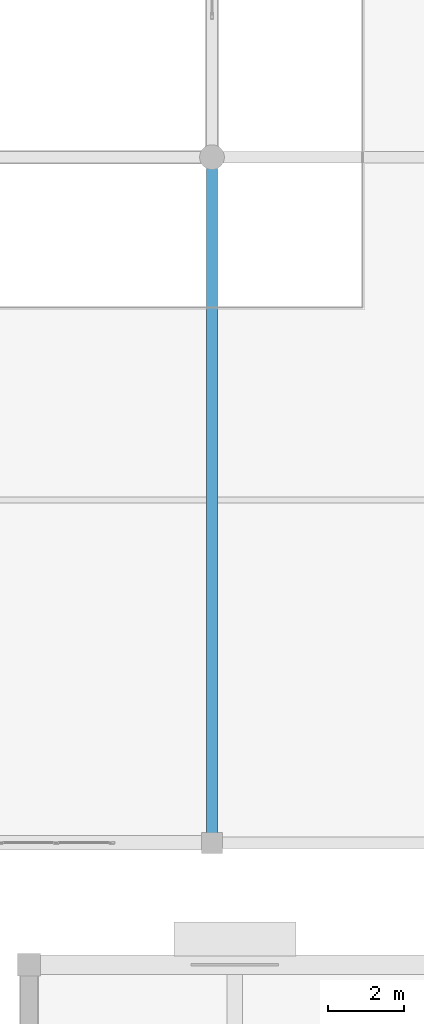
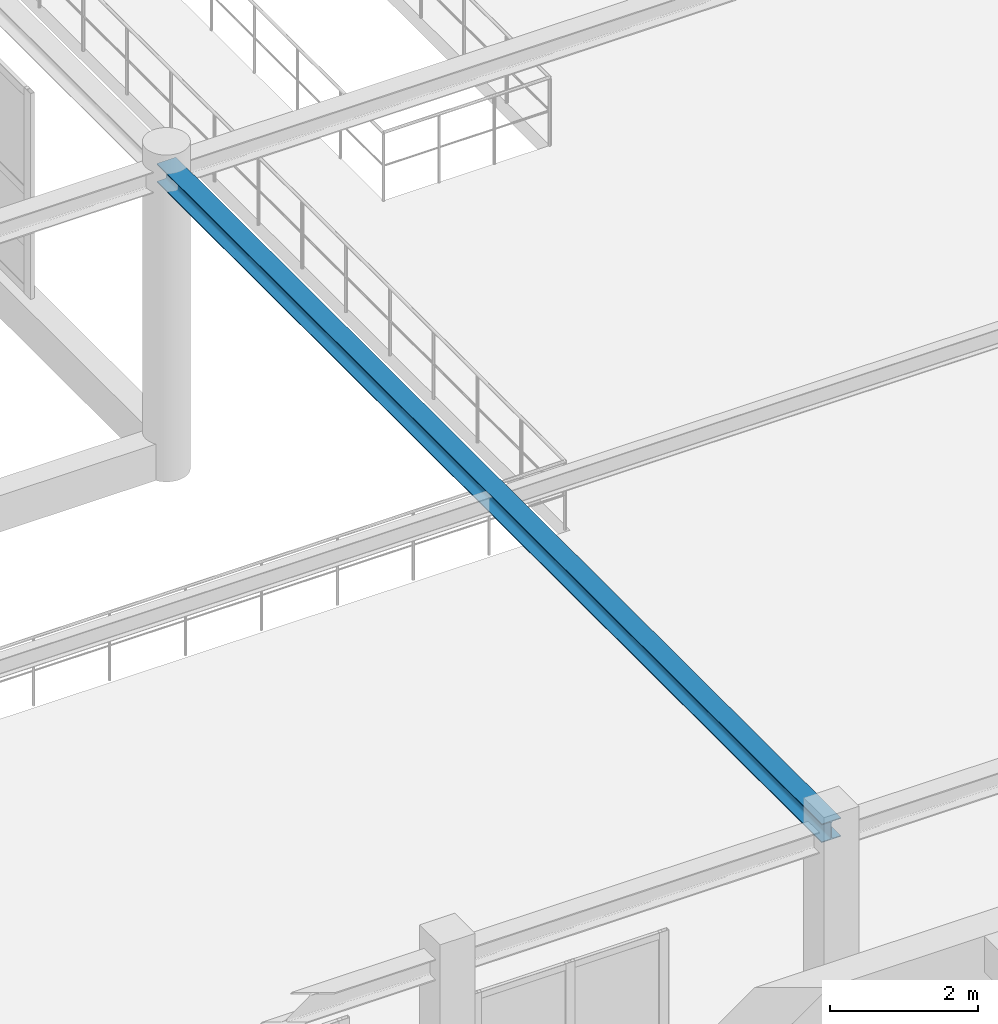
# One storey, part 62 of 197: 1 beam.
"""IFC4 building model written with IfcOpenShell, lengths in metres."""

import ifcopenshell
import ifcopenshell.guid

model = None  # the IFC model being written
_history = None  # IfcOwnerHistory: only IFC2X3 demands one
_inside = {}  # id of a spatial element -> (the spatial element, [elements in it])
_under = {}  # id of a project, library or spatial element -> (it, [spatial elements below it])
_declared = {}  # id of a project -> (the project, [libraries it declares])
_typed = {}  # id of a type object -> (the type object, [elements of that type])
_made_of = {}  # id of a material, layer set ... -> (it, [elements and type objects made of it])


def new_model(schema):
    """Start an empty IFC model of exactly this schema.

    Asked for "IFC4X3", IfcOpenShell would pick the latest addendum, in which some entities
    have other attributes; the version numbers below select the first issue.
    IFC2X3 requires an IfcOwnerHistory on every rooted entity: one is made here for all.
    """
    global model, _history
    if schema == "IFC4X3":
        model = ifcopenshell.file(schema_version=(4, 3, 0, 0))
    else:
        model = ifcopenshell.file(schema=schema)
    _inside.clear()
    _under.clear()
    _declared.clear()
    _typed.clear()
    _made_of.clear()
    _history = None
    if model.schema == "IFC2X3":
        org = make("IfcOrganization", Name="unknown")
        user = make(
            "IfcPersonAndOrganization",
            ThePerson=make("IfcPerson", FamilyName="unknown"),
            TheOrganization=org,
        )
        app = make(
            "IfcApplication",
            ApplicationDeveloper=org,
            Version="unknown",
            ApplicationFullName="unknown",
            ApplicationIdentifier="unknown",
        )
        _history = make(
            "IfcOwnerHistory",
            OwningUser=user,
            OwningApplication=app,
            ChangeAction="ADDED",
            CreationDate=0,
        )
    return model


def make(cls, **values):
    """One entity of the class cls with the attributes given. An attribute that is None is left unset."""
    return model.create_entity(
        cls, **{name: value for name, value in values.items() if value is not None}
    )


def rooted(cls, **values):
    """An entity with a GlobalId (a new one), such as an element, a storey or a relation."""
    return make(cls, GlobalId=ifcopenshell.guid.new(), OwnerHistory=_history, **values)


def si_unit(unit_type, name, prefix=None):
    """IfcSIUnit, for example si_unit("LENGTHUNIT", "METRE", prefix="MILLI")."""
    return make("IfcSIUnit", UnitType=unit_type, Prefix=prefix, Name=name)


def derived_unit(unit_type, elements):
    """IfcDerivedUnit: a product of units, each with its exponent."""
    return make(
        "IfcDerivedUnit",
        Elements=[
            make("IfcDerivedUnitElement", Unit=unit, Exponent=power)
            for unit, power in elements
        ],
        UnitType=unit_type,
    )


def assignment(units):
    """IfcUnitAssignment: the units of a project."""
    return None if units is None else make("IfcUnitAssignment", Units=units)


def point(xyz):
    """IfcCartesianPoint."""
    return None if xyz is None else make("IfcCartesianPoint", Coordinates=xyz)


def direction(xyz):
    """IfcDirection."""
    return None if xyz is None else make("IfcDirection", DirectionRatios=xyz)


def frame(location, z_axis=None, x_axis=None):
    """IfcAxis2Placement3D, a coordinate frame: its origin and axes. An axis left out is left unset."""
    return make(
        "IfcAxis2Placement3D",
        Location=point(location),
        Axis=direction(z_axis),
        RefDirection=direction(x_axis),
    )


def frame_2d(location, x_axis=None):
    """IfcAxis2Placement2D, a coordinate frame in the plane: its origin and x axis."""
    return make(
        "IfcAxis2Placement2D", Location=point(location), RefDirection=direction(x_axis)
    )


def origin():
    """The frame at (0, 0, 0) with its axes left unset."""
    return frame((0.0, 0.0, 0.0))


def origin_2d():
    """The frame at (0, 0) in the plane with its x axis left unset."""
    return frame_2d((0.0, 0.0))


def place(relative_to, where):
    """IfcLocalPlacement: puts the frame where relative to a parent placement (None: the world)."""
    return make(
        "IfcLocalPlacement", PlacementRelTo=relative_to, RelativePlacement=where
    )


def context(
    kind, dimensions, precision=None, world=None, true_north=None, identifier=None
):
    """IfcGeometricRepresentationContext, for example the 3D "Model" context."""
    return make(
        "IfcGeometricRepresentationContext",
        ContextIdentifier=identifier,
        ContextType=kind,
        CoordinateSpaceDimension=dimensions,
        Precision=precision,
        WorldCoordinateSystem=world,
        TrueNorth=true_north,
    )


def subcontext(parent, identifier, kind, view, scale=None):
    """IfcGeometricRepresentationSubContext, for example "Body" below "Model"."""
    return make(
        "IfcGeometricRepresentationSubContext",
        ContextIdentifier=identifier,
        ContextType=kind,
        ParentContext=parent,
        TargetScale=scale,
        TargetView=view,
    )


def project(units=None, contexts=None):
    """IfcProject with its units and contexts."""
    return rooted(
        "IfcProject",
        Name="project",
        RepresentationContexts=contexts,
        UnitsInContext=assignment(units),
    )


def spatial(cls, under=None, at=None, **own):
    """A site, building, storey or space (cls), placed at a placement, below another one or the project."""
    s = rooted(cls, ObjectPlacement=at, **own)
    if under is not None:
        _under.setdefault(under.id(), (under, []))[1].append(s)
    return s


def profile(cls, at=None, kind="AREA", **sizes):
    """A parametric profile (cls). Its sizes go by their IFC names, for example OverallWidth=200.0."""
    return make(cls, ProfileType=kind, Position=at, **sizes)


def i_section(**sizes):
    """IfcIShapeProfileDef."""
    return profile("IfcIShapeProfileDef", **sizes)


def extrude(swept, where, along, depth):
    """IfcExtrudedAreaSolid: the profile swept, set in the frame where, extruded along a direction by depth."""
    return make(
        "IfcExtrudedAreaSolid",
        SweptArea=swept,
        Position=where,
        ExtrudedDirection=direction(along),
        Depth=depth,
    )


def shape(context_of_items, identifier, shape_type, items):
    """IfcShapeRepresentation: the items that make up one representation, for example the "Body"."""
    return make(
        "IfcShapeRepresentation",
        ContextOfItems=context_of_items,
        RepresentationIdentifier=identifier,
        RepresentationType=shape_type,
        Items=items,
    )


def material(Name=None, Category=None):
    """IfcMaterial."""
    return make("IfcMaterial", Name=Name, Category=Category)


def material_profile(
    of_material, cross_section, Name=None, Category=None, Priority=None
):
    """IfcMaterialProfile: a cross section and its material."""
    return make(
        "IfcMaterialProfile",
        Name=Name,
        Material=of_material,
        Profile=cross_section,
        Priority=Priority,
        Category=Category,
    )


def profile_set(profiles, Name=None, composite=None):
    """IfcMaterialProfileSet."""
    return make(
        "IfcMaterialProfileSet",
        Name=Name,
        MaterialProfiles=profiles,
        CompositeProfile=composite,
    )


def made_of(thing, what):
    """Note that an element or type object is made of a material, layer set ...; save() writes the relation."""
    if what is not None:
        _made_of.setdefault(what.id(), (what, []))[1].append(thing)
    return thing


def type_object(cls, material=None, **own):
    """A type object (cls), such as IfcWallType, which elements share."""
    return made_of(rooted(cls, **own), material)


def element(
    cls,
    number,
    at=None,
    inside=None,
    cuts=None,
    type_object=None,
    material=None,
    context=None,
    identifier="Body",
    shape_type=None,
    held_by="IfcProductDefinitionShape",
    body=None,
    shapes=None,
    **own,
):
    """One element of the class cls, such as IfcWall. Its Tag is "e" and its number.

    at: its placement. inside: the storey or other place that contains it. cuts: it is an
    opening in that element (IfcRelVoidsElement). A single representation is given by context,
    identifier, shape_type and body (its items); several are given by shapes. held_by: the class
    of the entity that holds the representations. save() writes the other relations.
    """
    e = rooted(cls, Tag="e%d" % number, ObjectPlacement=at, **own)
    if body is not None:
        shapes = [shape(context, identifier, shape_type, body)]
    if shapes is not None:
        e.Representation = make(held_by, Representations=shapes)
    if inside is not None:
        _inside.setdefault(inside.id(), (inside, []))[1].append(e)
    if cuts is not None:
        rooted(
            "IfcRelVoidsElement", RelatingBuildingElement=cuts, RelatedOpeningElement=e
        )
    if type_object is not None:
        _typed.setdefault(type_object.id(), (type_object, []))[1].append(e)
    return made_of(e, material)


def aggregate(whole, parts):
    """IfcRelAggregates: a whole, such as a stair, and the parts it consists of."""
    return rooted("IfcRelAggregates", RelatingObject=whole, RelatedObjects=parts)


def save(model, path):
    """Write the relations noted so far, then the file.

    IfcRelAggregates (storeys below a building ...), IfcRelContainedInSpatialStructure (elements
    in a storey), IfcRelDefinesByType, IfcRelAssociatesMaterial and IfcRelDeclares: one each for
    every whole, place, type object, material and project.
    """
    for whole, parts in _under.values():
        aggregate(whole, parts)
    for where, things in _inside.values():
        rooted(
            "IfcRelContainedInSpatialStructure",
            RelatedElements=things,
            RelatingStructure=where,
        )
    for kind, things in _typed.values():
        rooted("IfcRelDefinesByType", RelatedObjects=things, RelatingType=kind)
    for what, things in _made_of.values():
        rooted("IfcRelAssociatesMaterial", RelatedObjects=things, RelatingMaterial=what)
    for by, libraries in _declared.values():
        rooted("IfcRelDeclares", RelatingContext=by, RelatedDefinitions=libraries)
    model.write(path)


model = new_model("IFC4")

# Units and contexts
model_context = context("Model", 3, precision=1e-05, world=origin(), true_north=direction((0.0, 1.0)))
body_context = subcontext(model_context, "Body", "Model", "MODEL_VIEW")
ifc_project = project(units=[si_unit("LENGTHUNIT", "METRE"), si_unit("AREAUNIT", "SQUARE_METRE"), si_unit("VOLUMEUNIT", "CUBIC_METRE"), si_unit("PLANEANGLEUNIT", "RADIAN"), si_unit("MASSUNIT", "GRAM", prefix="KILO"), derived_unit("THERMALTRANSMITTANCEUNIT", [(si_unit("POWERUNIT", "WATT"), 1), (si_unit("LENGTHUNIT", "METRE"), -2), (si_unit("THERMODYNAMICTEMPERATUREUNIT", "KELVIN"), -1)])], contexts=[model_context])

# Site, building, storey
site_placement = place(None, origin())
site = spatial("IfcSite", under=ifc_project, at=site_placement, CompositionType="ELEMENT")
building_placement = place(site_placement, origin())
building = spatial("IfcBuilding", under=site, at=building_placement, Name="Almenara Railside Exhibition Hall", CompositionType="ELEMENT")
storey_placement = place(building_placement, frame((0.0, 0.0, 5.39990234375)))
storey = spatial("IfcBuildingStorey", under=building, at=storey_placement, Name="L01", CompositionType="ELEMENT", Elevation=5.39990234375)

# Beam
ifc_material = material(Name="Structural steel S355JR", Category="steel")
ifc_material_profile = material_profile(ifc_material, i_section(OverallWidth=0.300048828125, OverallDepth=0.31005859375, WebThickness=0.009033203125, FlangeThickness=0.015380859375, FilletRadius=0.027099609375, at=origin_2d()), Name="HEA 320")
ifc_profile_set = profile_set([ifc_material_profile], Name="Structural steel S355JR")
beam_type = type_object("IfcBeamType", Name="Steel Concourse Edge Beam HEA 320 S355JR", PredefinedType="BEAM", material=ifc_profile_set)
beam_placement = place(storey_placement, frame((120.0, 36.0, 4.93115234375), z_axis=(0.0, 1.0, 0.0), x_axis=(-1.0, 0.0, 0.0)))
element("IfcBeam", 1, at=beam_placement, inside=storey, type_object=beam_type, Name="Beam 0818", PredefinedType="BEAM", context=body_context, shape_type="SweptSolid", body=[
    extrude(i_section(OverallWidth=0.300048828125, OverallDepth=0.31005859375, WebThickness=0.009033203125, FlangeThickness=0.015380859375, FilletRadius=0.027099609375, at=origin_2d()), origin(), (0.0, 0.0, 1.0), 18.0),
])

save(model, "model.ifc")
